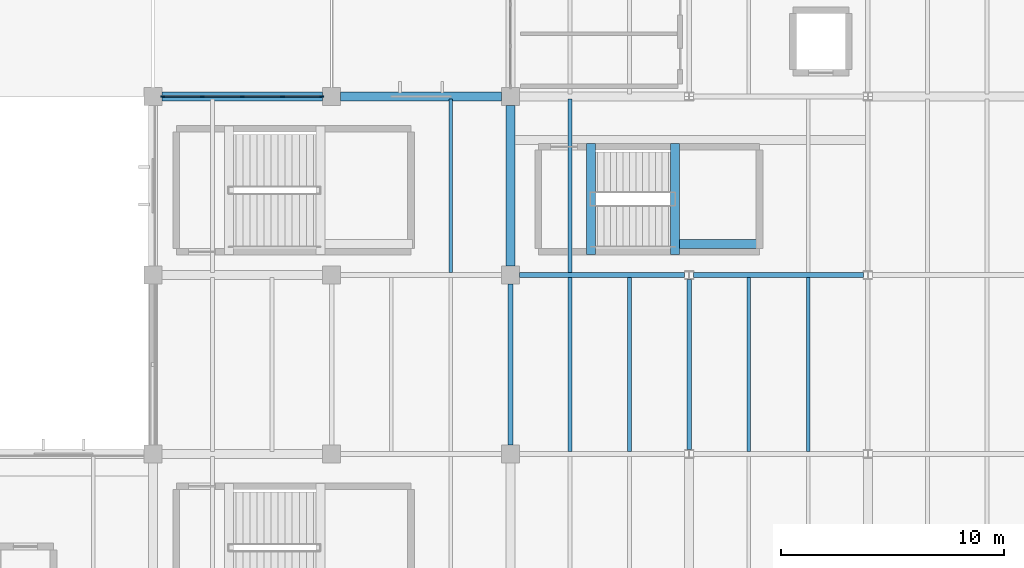
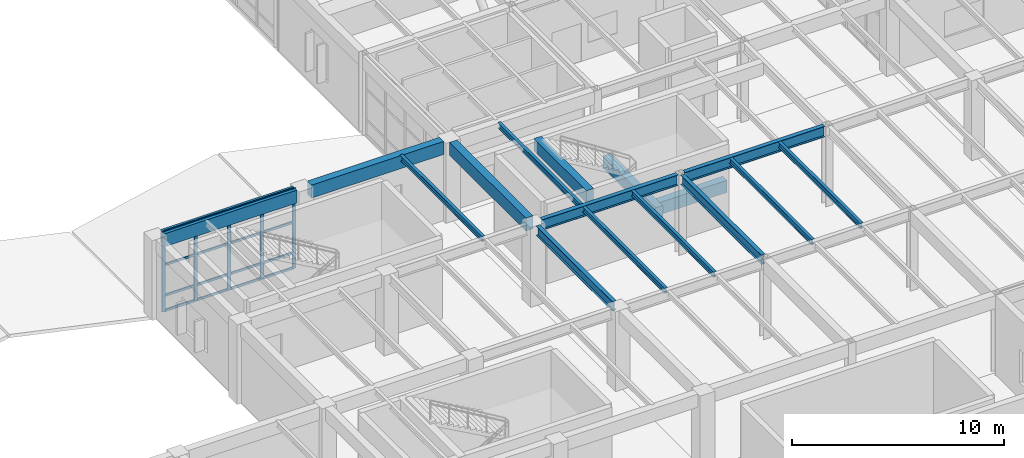
# One storey, part 20 of 60: 21 members, 16 beams, 1 element without a shape of its own.
"""IFC4 building model written with IfcOpenShell, lengths in metres."""

from ifc_helpers import new_model, si_unit, direction, frame, origin, origin_2d, place, context, subcontext, project, spatial, rectangle, i_section, extrude, material, layer, layer_set, material_profile, profile_set, type_object, element, aggregate, save


model = new_model("IFC4")

# Units and contexts
model_context = context("Model", 3, precision=1e-05, world=origin(), true_north=direction((0.0, 1.0)))
body_context = subcontext(model_context, "Body", "Model", "MODEL_VIEW")
ifc_project = project(units=[si_unit("LENGTHUNIT", "METRE"), si_unit("AREAUNIT", "SQUARE_METRE"), si_unit("VOLUMEUNIT", "CUBIC_METRE"), si_unit("PLANEANGLEUNIT", "RADIAN"), si_unit("MASSUNIT", "GRAM", prefix="KILO")], contexts=[model_context])

# Site, building, storey
site_placement = place(None, origin())
site = spatial("IfcSite", under=ifc_project, at=site_placement, CompositionType="ELEMENT")
building_placement = place(site_placement, origin())
building = spatial("IfcBuilding", under=site, at=building_placement, Name="Varnela Railside Interchange", CompositionType="ELEMENT")
storey_placement = place(building_placement, frame((0.0, 0.0, 6.300048828125)))
storey = spatial("IfcBuildingStorey", under=building, at=storey_placement, Name="L01", CompositionType="ELEMENT", Elevation=6.300048828125)

# Beams
ifc_material_1 = material(Name="Steel AR 350 (350 MPa)", Category="steel")
ifc_material_profile_1 = material_profile(ifc_material_1, i_section(OverallWidth=0.1650390625, OverallDepth=0.31005859375, WebThickness=0.005859375, FlangeThickness=0.009765625, at=origin_2d()), Name="W310x38.7")
ifc_profile_set_1 = profile_set([ifc_material_profile_1], Name="Steel AR 350 (350 MPa)")
beam_type_1 = type_object("IfcBeamType", Name="Composite Floor Joist J-04", PredefinedType="JOIST", material=ifc_profile_set_1)
for number, where, z_axis, x_axis, name in (
    (1, (113.330078125, 54.114501953125, 4.445068359375), (0.0, 1.0, 0.0), (-1.0, 0.0, 0.0), "Composite Floor Joist J-04 (L01) (BM-1482)"),
    (2, (118.669921875, 46.114501953125, 4.445068359375), (0.0, 1.0, 0.0), (-1.0, 0.0, 0.0), "Composite Floor Joist J-04 (L01) (BM-1487)"),
    (3, (121.330078125, 46.114501953125, 4.445068359375), (0.0, 1.0, 0.0), (-1.0, 0.0, 0.0), "Composite Floor Joist J-04 (L01) (BM-1488)"),
    (4, (118.669921875, 54.114501953125, 4.445068359375), (0.0, 1.0, 0.0), (-1.0, 0.0, 0.0), "Composite Floor Joist J-04 (L01) (BM-1489)"),
    (5, (126.669921875, 46.114501953125, 4.445068359375), (0.0, 1.0, 0.0), (-1.0, 0.0, 0.0), "Composite Floor Joist J-04 (L01) (BM-1500)"),
    (6, (129.330078125, 46.114501953125, 4.445068359375), (0.0, 1.0, 0.0), (-1.0, 0.0, 0.0), "Composite Floor Joist J-04 (L01) (BM-1501)"),
):
    element("IfcBeam", number, at=place(storey_placement, frame(where, z_axis=z_axis, x_axis=x_axis)), inside=storey, type_object=beam_type_1, Name=name, PredefinedType="JOIST", context=body_context, shape_type="SweptSolid", body=[
        extrude(i_section(OverallWidth=0.1650390625, OverallDepth=0.31005859375, WebThickness=0.005859375, FlangeThickness=0.009765625, at=origin_2d()), origin(), (0.0, 0.0, 1.0), 7.77099609375),
    ])
ifc_material_profile_2 = material_profile(ifc_material_1, i_section(OverallWidth=0.2119140625, OverallDepth=0.5439453125, WebThickness=0.01318359375, FlangeThickness=0.021240234375, at=origin_2d()), Name="W530x123")
ifc_profile_set_2 = profile_set([ifc_material_profile_2], Name="Steel AR 350 (350 MPa)")
beam_type_2 = type_object("IfcBeamType", Name="Composite Heavy Girder B-16", PredefinedType="BEAM", material=ifc_profile_set_2)
beam_1_placement = place(storey_placement, frame((116.0, 46.39990234375, 4.327880859375), z_axis=(0.0, 1.0, 0.0), x_axis=(-1.0, 0.0, 0.0)))
element("IfcBeam", 7, at=beam_1_placement, inside=storey, type_object=beam_type_2, Name="Composite Heavy Girder B-16 (L01) (BM-1710)", PredefinedType="BEAM", context=body_context, shape_type="SweptSolid", body=[
    extrude(i_section(OverallWidth=0.2119140625, OverallDepth=0.5439453125, WebThickness=0.01318359375, FlangeThickness=0.021240234375, at=origin_2d()), origin(), (0.0, 0.0, 1.0), 7.2001953125),
])
beam_2_placement = place(storey_placement, frame((124.0, 46.193603515625, 4.327880859375), z_axis=(0.0, 1.0, 0.0), x_axis=(-1.0, 0.0, 0.0)))
element("IfcBeam", 8, at=beam_2_placement, inside=storey, type_object=beam_type_2, Name="Composite Heavy Girder B-16 (L01) (BM-1717)", PredefinedType="BEAM", context=body_context, shape_type="SweptSolid", body=[
    extrude(i_section(OverallWidth=0.2119140625, OverallDepth=0.5439453125, WebThickness=0.01318359375, FlangeThickness=0.021240234375, at=origin_2d()), origin(), (0.0, 0.0, 1.0), 7.61279296875),
])

# Curtain wall, members
ifc_material_2 = material(Name="Aluminium 6063-T6", Category="aluminium")
ifc_layer = layer(ifc_material_2, 0.035888671875)
ifc_layer_set = layer_set([ifc_layer], Name="Aluminium 6063-T6")
curtain_wall_type = type_object("IfcCurtainWallType", Name="Concourse Triple-Height Curtain Wall CW-01", PredefinedType="USERDEFINED", material=ifc_layer_set)
curtain_wall_placement = place(storey_placement, origin())
curtain_wall = element("IfcCurtainWall", 9, at=curtain_wall_placement, inside=storey, type_object=curtain_wall_type, Name="Curtain Wall CW-01 (L01) (CW-028)", ObjectType="CURTAIN WALL", PredefinedType="USERDEFINED")
ifc_material_profile_3 = material_profile(ifc_material_2, rectangle(XDim=0.06494140625, YDim=0.179931640625, at=origin_2d()), Name="ALU 65x180")
ifc_profile_set_3 = profile_set([ifc_material_profile_3], Name="Aluminium 6063-T6")
member_type_1 = type_object("IfcMemberType", Name="Concourse Tall Mullion ML-03", PredefinedType="MULLION", material=ifc_profile_set_3)
member_1_placement = place(storey_placement, frame((100.4326171875, 62.0, 0.0), z_axis=(0.0, 0.0, 1.0), x_axis=(0.0, 1.0, 0.0)))
member_1 = element("IfcMember", 10, at=member_1_placement, type_object=member_type_1, Name="CW-01 mullion 1", PredefinedType="MULLION", context=body_context, shape_type="SweptSolid", body=[
    extrude(rectangle(XDim=0.06494140625, YDim=0.179931640625, at=origin_2d()), origin(), (0.0, 0.0, 1.0), 4.599853515625),
])
member_2_placement = place(storey_placement, frame((102.199951171875, 62.0, 0.0), z_axis=(0.0, 0.0, 1.0), x_axis=(0.0, 1.0, 0.0)))
member_2 = element("IfcMember", 11, at=member_2_placement, type_object=member_type_1, Name="CW-01 mullion 2", PredefinedType="MULLION", context=body_context, shape_type="SweptSolid", body=[
    extrude(rectangle(XDim=0.06494140625, YDim=0.179931640625, at=origin_2d()), origin(), (0.0, 0.0, 1.0), 4.599853515625),
])
member_3_placement = place(storey_placement, frame((104.0, 62.0, 0.0), z_axis=(0.0, 0.0, 1.0), x_axis=(0.0, 1.0, 0.0)))
member_3 = element("IfcMember", 12, at=member_3_placement, type_object=member_type_1, Name="CW-01 mullion 3", PredefinedType="MULLION", context=body_context, shape_type="SweptSolid", body=[
    extrude(rectangle(XDim=0.06494140625, YDim=0.179931640625, at=origin_2d()), origin(), (0.0, 0.0, 1.0), 4.599853515625),
])
member_4_placement = place(storey_placement, frame((105.800048828125, 62.0, 0.0), z_axis=(0.0, 0.0, 1.0), x_axis=(0.0, 1.0, 0.0)))
member_4 = element("IfcMember", 13, at=member_4_placement, type_object=member_type_1, Name="CW-01 mullion 4", PredefinedType="MULLION", context=body_context, shape_type="SweptSolid", body=[
    extrude(rectangle(XDim=0.06494140625, YDim=0.179931640625, at=origin_2d()), origin(), (0.0, 0.0, 1.0), 4.599853515625),
])
member_5_placement = place(storey_placement, frame((107.5673828125, 62.0, 0.0), z_axis=(0.0, 0.0, 1.0), x_axis=(0.0, 1.0, 0.0)))
member_5 = element("IfcMember", 14, at=member_5_placement, type_object=member_type_1, Name="CW-01 mullion 5", PredefinedType="MULLION", context=body_context, shape_type="SweptSolid", body=[
    extrude(rectangle(XDim=0.06494140625, YDim=0.179931640625, at=origin_2d()), origin(), (0.0, 0.0, 1.0), 4.599853515625),
])
ifc_material_profile_4 = material_profile(ifc_material_2, rectangle(XDim=0.06494140625, YDim=0.135009765625, at=origin_2d()), Name="ALU 65x135")
ifc_profile_set_4 = profile_set([ifc_material_profile_4], Name="Aluminium 6063-T6")
member_type_2 = type_object("IfcMemberType", Name="Concourse Transom TR-03", PredefinedType="USERDEFINED", material=ifc_profile_set_4)
member_6_placement = place(storey_placement, frame((100.465087890625, 62.0, 0.032470703125), z_axis=(1.0, 0.0, 0.0), x_axis=(0.0, 1.0, 0.0)))
member_6 = element("IfcMember", 15, at=member_6_placement, type_object=member_type_2, Name="CW-01 transom 1.1", ObjectType="TRANSOM", PredefinedType="USERDEFINED", context=body_context, shape_type="SweptSolid", body=[
    extrude(rectangle(XDim=0.06494140625, YDim=0.135009765625, at=origin_2d()), origin(), (0.0, 0.0, 1.0), 1.702392578125),
])
member_7_placement = place(storey_placement, frame((100.465087890625, 62.0, 0.89990234375), z_axis=(1.0, 0.0, 0.0), x_axis=(0.0, 1.0, 0.0)))
member_7 = element("IfcMember", 16, at=member_7_placement, type_object=member_type_2, Name="CW-01 transom 1.2", ObjectType="TRANSOM", PredefinedType="USERDEFINED", context=body_context, shape_type="SweptSolid", body=[
    extrude(rectangle(XDim=0.06494140625, YDim=0.135009765625, at=origin_2d()), origin(), (0.0, 0.0, 1.0), 1.702392578125),
])
member_8_placement = place(storey_placement, frame((100.465087890625, 62.0, 2.66796875), z_axis=(1.0, 0.0, 0.0), x_axis=(0.0, 1.0, 0.0)))
member_8 = element("IfcMember", 17, at=member_8_placement, type_object=member_type_2, Name="CW-01 transom 1.3", ObjectType="TRANSOM", PredefinedType="USERDEFINED", context=body_context, shape_type="SweptSolid", body=[
    extrude(rectangle(XDim=0.06494140625, YDim=0.135009765625, at=origin_2d()), origin(), (0.0, 0.0, 1.0), 1.702392578125),
])
member_9_placement = place(storey_placement, frame((100.465087890625, 62.0, 4.5673828125), z_axis=(1.0, 0.0, 0.0), x_axis=(0.0, 1.0, 0.0)))
member_9 = element("IfcMember", 18, at=member_9_placement, type_object=member_type_2, Name="CW-01 transom 1.4", ObjectType="TRANSOM", PredefinedType="USERDEFINED", context=body_context, shape_type="SweptSolid", body=[
    extrude(rectangle(XDim=0.06494140625, YDim=0.135009765625, at=origin_2d()), origin(), (0.0, 0.0, 1.0), 1.702392578125),
])
member_10_placement = place(storey_placement, frame((102.232421875, 62.0, 0.032470703125), z_axis=(1.0, 0.0, 0.0), x_axis=(0.0, 1.0, 0.0)))
member_10 = element("IfcMember", 19, at=member_10_placement, type_object=member_type_2, Name="CW-01 transom 2.1", ObjectType="TRANSOM", PredefinedType="USERDEFINED", context=body_context, shape_type="SweptSolid", body=[
    extrude(rectangle(XDim=0.06494140625, YDim=0.135009765625, at=origin_2d()), origin(), (0.0, 0.0, 1.0), 1.735107421875),
])
member_11_placement = place(storey_placement, frame((102.232421875, 62.0, 0.89990234375), z_axis=(1.0, 0.0, 0.0), x_axis=(0.0, 1.0, 0.0)))
member_11 = element("IfcMember", 20, at=member_11_placement, type_object=member_type_2, Name="CW-01 transom 2.2", ObjectType="TRANSOM", PredefinedType="USERDEFINED", context=body_context, shape_type="SweptSolid", body=[
    extrude(rectangle(XDim=0.06494140625, YDim=0.135009765625, at=origin_2d()), origin(), (0.0, 0.0, 1.0), 1.735107421875),
])
member_12_placement = place(storey_placement, frame((102.232421875, 62.0, 2.66796875), z_axis=(1.0, 0.0, 0.0), x_axis=(0.0, 1.0, 0.0)))
member_12 = element("IfcMember", 21, at=member_12_placement, type_object=member_type_2, Name="CW-01 transom 2.3", ObjectType="TRANSOM", PredefinedType="USERDEFINED", context=body_context, shape_type="SweptSolid", body=[
    extrude(rectangle(XDim=0.06494140625, YDim=0.135009765625, at=origin_2d()), origin(), (0.0, 0.0, 1.0), 1.735107421875),
])
member_13_placement = place(storey_placement, frame((102.232421875, 62.0, 4.5673828125), z_axis=(1.0, 0.0, 0.0), x_axis=(0.0, 1.0, 0.0)))
member_13 = element("IfcMember", 22, at=member_13_placement, type_object=member_type_2, Name="CW-01 transom 2.4", ObjectType="TRANSOM", PredefinedType="USERDEFINED", context=body_context, shape_type="SweptSolid", body=[
    extrude(rectangle(XDim=0.06494140625, YDim=0.135009765625, at=origin_2d()), origin(), (0.0, 0.0, 1.0), 1.735107421875),
])
member_14_placement = place(storey_placement, frame((104.032470703125, 62.0, 0.032470703125), z_axis=(1.0, 0.0, 0.0), x_axis=(0.0, 1.0, 0.0)))
member_14 = element("IfcMember", 23, at=member_14_placement, type_object=member_type_2, Name="CW-01 transom 3.1", ObjectType="TRANSOM", PredefinedType="USERDEFINED", context=body_context, shape_type="SweptSolid", body=[
    extrude(rectangle(XDim=0.06494140625, YDim=0.135009765625, at=origin_2d()), origin(), (0.0, 0.0, 1.0), 1.735107421875),
])
member_15_placement = place(storey_placement, frame((104.032470703125, 62.0, 0.89990234375), z_axis=(1.0, 0.0, 0.0), x_axis=(0.0, 1.0, 0.0)))
member_15 = element("IfcMember", 24, at=member_15_placement, type_object=member_type_2, Name="CW-01 transom 3.2", ObjectType="TRANSOM", PredefinedType="USERDEFINED", context=body_context, shape_type="SweptSolid", body=[
    extrude(rectangle(XDim=0.06494140625, YDim=0.135009765625, at=origin_2d()), origin(), (0.0, 0.0, 1.0), 1.735107421875),
])
member_16_placement = place(storey_placement, frame((104.032470703125, 62.0, 2.66796875), z_axis=(1.0, 0.0, 0.0), x_axis=(0.0, 1.0, 0.0)))
member_16 = element("IfcMember", 25, at=member_16_placement, type_object=member_type_2, Name="CW-01 transom 3.3", ObjectType="TRANSOM", PredefinedType="USERDEFINED", context=body_context, shape_type="SweptSolid", body=[
    extrude(rectangle(XDim=0.06494140625, YDim=0.135009765625, at=origin_2d()), origin(), (0.0, 0.0, 1.0), 1.735107421875),
])
member_17_placement = place(storey_placement, frame((104.032470703125, 62.0, 4.5673828125), z_axis=(1.0, 0.0, 0.0), x_axis=(0.0, 1.0, 0.0)))
member_17 = element("IfcMember", 26, at=member_17_placement, type_object=member_type_2, Name="CW-01 transom 3.4", ObjectType="TRANSOM", PredefinedType="USERDEFINED", context=body_context, shape_type="SweptSolid", body=[
    extrude(rectangle(XDim=0.06494140625, YDim=0.135009765625, at=origin_2d()), origin(), (0.0, 0.0, 1.0), 1.735107421875),
])
member_18_placement = place(storey_placement, frame((105.83251953125, 62.0, 0.032470703125), z_axis=(1.0, 0.0, 0.0), x_axis=(0.0, 1.0, 0.0)))
member_18 = element("IfcMember", 27, at=member_18_placement, type_object=member_type_2, Name="CW-01 transom 4.1", ObjectType="TRANSOM", PredefinedType="USERDEFINED", context=body_context, shape_type="SweptSolid", body=[
    extrude(rectangle(XDim=0.06494140625, YDim=0.135009765625, at=origin_2d()), origin(), (0.0, 0.0, 1.0), 1.702392578125),
])
member_19_placement = place(storey_placement, frame((105.83251953125, 62.0, 0.89990234375), z_axis=(1.0, 0.0, 0.0), x_axis=(0.0, 1.0, 0.0)))
member_19 = element("IfcMember", 28, at=member_19_placement, type_object=member_type_2, Name="CW-01 transom 4.2", ObjectType="TRANSOM", PredefinedType="USERDEFINED", context=body_context, shape_type="SweptSolid", body=[
    extrude(rectangle(XDim=0.06494140625, YDim=0.135009765625, at=origin_2d()), origin(), (0.0, 0.0, 1.0), 1.702392578125),
])
member_20_placement = place(storey_placement, frame((105.83251953125, 62.0, 2.66796875), z_axis=(1.0, 0.0, 0.0), x_axis=(0.0, 1.0, 0.0)))
member_20 = element("IfcMember", 29, at=member_20_placement, type_object=member_type_2, Name="CW-01 transom 4.3", ObjectType="TRANSOM", PredefinedType="USERDEFINED", context=body_context, shape_type="SweptSolid", body=[
    extrude(rectangle(XDim=0.06494140625, YDim=0.135009765625, at=origin_2d()), origin(), (0.0, 0.0, 1.0), 1.702392578125),
])
member_21_placement = place(storey_placement, frame((105.83251953125, 62.0, 4.5673828125), z_axis=(1.0, 0.0, 0.0), x_axis=(0.0, 1.0, 0.0)))
member_21 = element("IfcMember", 30, at=member_21_placement, type_object=member_type_2, Name="CW-01 transom 4.4", ObjectType="TRANSOM", PredefinedType="USERDEFINED", context=body_context, shape_type="SweptSolid", body=[
    extrude(rectangle(XDim=0.06494140625, YDim=0.135009765625, at=origin_2d()), origin(), (0.0, 0.0, 1.0), 1.702392578125),
])
aggregate(curtain_wall, [member_1, member_2, member_3, member_4, member_5, member_6, member_7, member_8, member_9, member_10, member_11, member_12, member_13, member_14, member_15, member_16, member_17, member_18, member_19, member_20, member_21])

# Beams
ifc_material_3 = material(Name="Concrete C40", Category="concrete")
ifc_material_profile_5 = material_profile(ifc_material_3, rectangle(XDim=0.39990234375, YDim=0.699951171875, at=origin_2d()), Name="RC 400x700")
ifc_profile_set_5 = profile_set([ifc_material_profile_5], Name="Concrete C40")
beam_type_3 = type_object("IfcBeamType", Name="Concrete Tie Beam B-01", PredefinedType="BEAM", material=ifc_profile_set_5)
for number, where, z_axis, x_axis, name in (
    (31, (119.60009765625, 54.919921875, 4.25), (0.0, 1.0, 0.0), (-1.0, 0.0, 0.0), "Concrete Tie Beam B-01 (L01) (BM-1818)"),
    (32, (123.3701171875, 54.919921875, 1.93994140625), (0.0, 1.0, 0.0), (-1.0, 0.0, 0.0), "Concrete Tie Beam B-01 (L01) (BM-1807)"),
):
    element("IfcBeam", number, at=place(storey_placement, frame(where, z_axis=z_axis, x_axis=x_axis)), inside=storey, type_object=beam_type_3, Name=name, PredefinedType="BEAM", context=body_context, shape_type="SweptSolid", body=[
        extrude(rectangle(XDim=0.39990234375, YDim=0.699951171875, at=origin_2d()), origin(), (0.0, 0.0, 1.0), 4.9599609375),
    ])
beam_3_placement = place(storey_placement, frame((123.570068359375, 55.39990234375, 1.93994140625), z_axis=(1.0, 0.0, 0.0), x_axis=(0.0, 1.0, 0.0)))
element("IfcBeam", 33, at=beam_3_placement, inside=storey, type_object=beam_type_3, Name="Concrete Tie Beam B-01 (L01) (BM-1796)", PredefinedType="BEAM", context=body_context, shape_type="SweptSolid", body=[
    extrude(rectangle(XDim=0.39990234375, YDim=0.699951171875, at=origin_2d()), origin(), (0.0, 0.0, 1.0), 3.64990234375),
])
ifc_material_profile_6 = material_profile(ifc_material_1, i_section(OverallWidth=0.22900390625, OverallDepth=0.612060546875, WebThickness=0.011962890625, FlangeThickness=0.01953125, at=origin_2d()), Name="W610x125")
ifc_profile_set_6 = profile_set([ifc_material_profile_6], Name="Steel AR 350 (350 MPa)")
beam_type_4 = type_object("IfcBeamType", Name="Podium Composite Girder B-15", PredefinedType="BEAM", material=ifc_profile_set_6)
beam_4_placement = place(storey_placement, frame((116.39990234375, 54.0, 4.2939453125), z_axis=(1.0, 0.0, 0.0), x_axis=(0.0, 1.0, 0.0)))
element("IfcBeam", 34, at=beam_4_placement, inside=storey, type_object=beam_type_4, Name="Podium Composite Girder B-15 (L01) (BM-1645)", PredefinedType="BEAM", context=body_context, shape_type="SweptSolid", body=[
    extrude(i_section(OverallWidth=0.22900390625, OverallDepth=0.612060546875, WebThickness=0.011962890625, FlangeThickness=0.01953125, at=origin_2d()), origin(), (0.0, 0.0, 1.0), 7.401123046875),
])
beam_5_placement = place(storey_placement, frame((124.198974609375, 54.0, 4.2939453125), z_axis=(1.0, 0.0, 0.0), x_axis=(0.0, 1.0, 0.0)))
element("IfcBeam", 35, at=beam_5_placement, inside=storey, type_object=beam_type_4, Name="Podium Composite Girder B-15 (L01) (BM-1646)", PredefinedType="BEAM", context=body_context, shape_type="SweptSolid", body=[
    extrude(i_section(OverallWidth=0.22900390625, OverallDepth=0.612060546875, WebThickness=0.011962890625, FlangeThickness=0.01953125, at=origin_2d()), origin(), (0.0, 0.0, 1.0), 7.60205078125),
])
ifc_material_4 = material(Name="Concrete C40 precast", Category="concrete")
ifc_material_profile_7 = material_profile(ifc_material_4, rectangle(XDim=0.39990234375, YDim=0.75, at=origin_2d()), Name="PC 400x750")
ifc_profile_set_7 = profile_set([ifc_material_profile_7], Name="Concrete C40 precast")
beam_type_5 = type_object("IfcBeamType", Name="Precast Facade Spandrel SP-03", PredefinedType="SPANDREL", material=ifc_profile_set_7)
for number, where, z_axis, x_axis, name in (
    (36, (100.39990234375, 62.0, 4.224853515625), (1.0, 0.0, 0.0), (0.0, 1.0, 0.0), "Precast Facade Spandrel SP-03 (L01) (BM-1656)"),
    (37, (108.39990234375, 62.0, 4.224853515625), (1.0, 0.0, 0.0), (0.0, 1.0, 0.0), "Precast Facade Spandrel SP-03 (L01) (BM-1657)"),
    (38, (116.0, 54.39990234375, 4.224853515625), (0.0, 1.0, 0.0), (-1.0, 0.0, 0.0), "Precast Facade Spandrel SP-03 (L01) (BM-1711)"),
):
    element("IfcBeam", number, at=place(storey_placement, frame(where, z_axis=z_axis, x_axis=x_axis)), inside=storey, type_object=beam_type_5, Name=name, PredefinedType="SPANDREL", context=body_context, shape_type="SweptSolid", body=[
        extrude(rectangle(XDim=0.39990234375, YDim=0.75, at=origin_2d()), origin(), (0.0, 0.0, 1.0), 7.2001953125),
    ])

save(model, "model.ifc")
